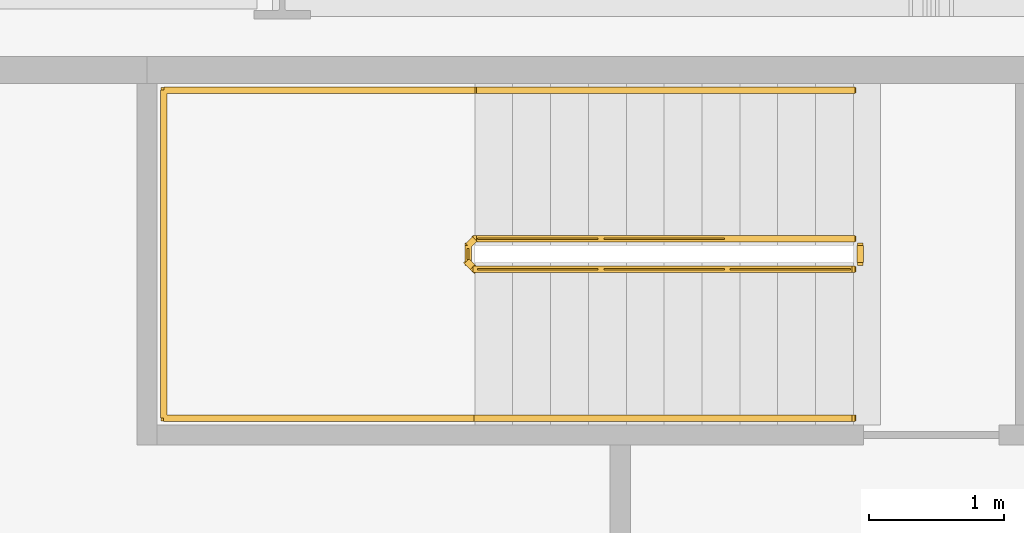
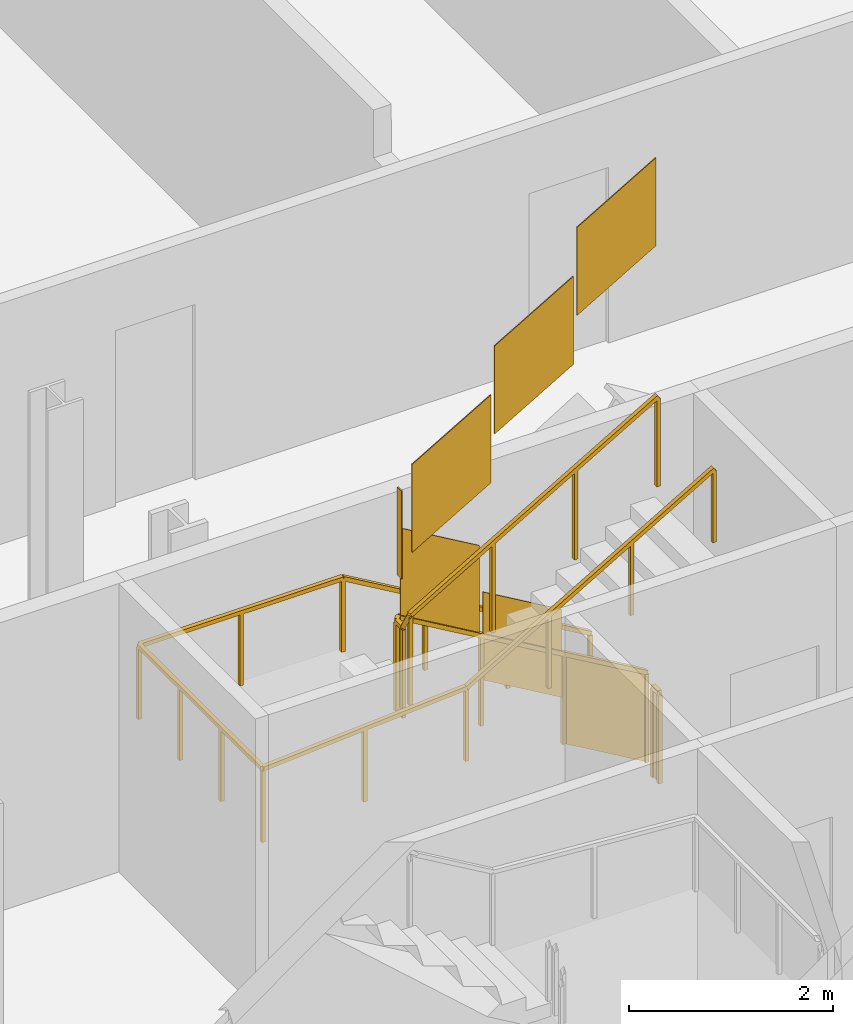
# One storey, part 18 of 19: 3 railings.
"""IFC4 building model written with IfcOpenShell, lengths in metres."""

from ifc_helpers import new_model, si_unit, direction, frame, origin, origin_2d, place, context, subcontext, project, spatial, polyline, rectangle, outline, extrude, material, type_object, element, save


model = new_model("IFC4")

# Units and contexts
model_context = context("Model", 3, precision=1e-05, world=origin(), true_north=direction((0.0, 1.0)))
body_context = subcontext(model_context, "Body", "Model", "MODEL_VIEW")
ifc_project = project(units=[si_unit("LENGTHUNIT", "METRE"), si_unit("AREAUNIT", "SQUARE_METRE"), si_unit("VOLUMEUNIT", "CUBIC_METRE"), si_unit("PLANEANGLEUNIT", "RADIAN"), si_unit("MASSUNIT", "GRAM", prefix="KILO")], contexts=[model_context])

# Site, building, storey
site_placement = place(None, origin())
site = spatial("IfcSite", under=ifc_project, at=site_placement, CompositionType="ELEMENT")
building_placement = place(site_placement, origin())
building = spatial("IfcBuilding", under=site, at=building_placement, Name="Cairn Pilgrim Tower", CompositionType="ELEMENT")
storey_placement = place(building_placement, frame((0.0, 0.0, 186.60009765625)))
storey = spatial("IfcBuildingStorey", under=building, at=storey_placement, Name="L47", CompositionType="ELEMENT", Elevation=186.60009765625)

# Railings
ifc_material = material(Name="Painted steel", Category="steel")
railing_type_1 = type_object("IfcRailingType", Name="STAIR GUARD 1100", PredefinedType="GUARDRAIL", material=ifc_material)
railing_1_placement = place(storey_placement, frame((11.425048828125, 8.949951171875, 0.16357421875)))
element("IfcRailing", 1, at=railing_1_placement, inside=storey, type_object=railing_type_1, Name="L47 ST-C stair guard 1", PredefinedType="GUARDRAIL", context=body_context, shape_type="SweptSolid", body=[
    extrude(rectangle(XDim=0.048095703125, YDim=0.048095703125, at=origin_2d()), frame((0.0, 0.0, 1.076171875), z_axis=(-0.863393664356, 0.0, 0.504530851732), x_axis=(0.0, -1.0, 0.0)), (0.0, 0.0, 1.0), 3.2431640625),
    extrude(rectangle(XDim=0.048095703125, YDim=0.048095703125, at=origin_2d()), frame((-2.800048828125, 0.0, 2.71240234375), z_axis=(-0.707106781187, -0.707106781187, 0.0), x_axis=(0.707106781187, -0.707106781187, 0.0)), (0.0, 0.0, 1.0), 0.07080078125),
    extrude(rectangle(XDim=0.048095703125, YDim=0.048095703125, at=origin_2d()), frame((-2.85009765625, -0.050048828125, 2.71240234375), z_axis=(0.0, -1.0, 0.0), x_axis=(1.0, 0.0, 0.0)), (0.0, 0.0, 1.0), 0.125),
    extrude(rectangle(XDim=0.048095703125, YDim=0.048095703125, at=origin_2d()), frame((-2.85009765625, -0.175048828125, 2.71240234375), z_axis=(0.280563532951, -0.279194930351, 0.91833234444), x_axis=(0.705375805398, 0.708833529934, 0.0)), (0.0, 0.0, 1.0), 0.178466796875),
    extrude(rectangle(XDim=0.048095703125, YDim=0.048095703125, at=origin_2d()), frame((-2.800048828125, -0.224853515625, 2.8759765625), z_axis=(0.863393664356, 0.0, 0.504530851732), x_axis=(0.0, 1.0, 0.0)), (0.0, 0.0, 1.0), 3.2431640625),
    extrude(rectangle(XDim=0.0419921875, YDim=0.0419921875, at=origin_2d()), origin(), (0.0, 0.0, 1.0), 1.052001953125),
    extrude(rectangle(XDim=0.0419921875, YDim=0.0419921875, at=origin_2d()), frame((-0.933349609375, 0.0, 0.54541015625)), (0.0, 0.0, 1.0), 1.052001953125),
    extrude(rectangle(XDim=0.0419921875, YDim=0.0419921875, at=origin_2d()), frame((-1.86669921875, 0.0, 1.0908203125)), (0.0, 0.0, 1.0), 1.052001953125),
    extrude(rectangle(XDim=0.0419921875, YDim=0.0419921875, at=origin_2d()), frame((-2.800048828125, 0.0, 1.63623046875)), (0.0, 0.0, 1.0), 1.052001953125),
    extrude(rectangle(XDim=0.0419921875, YDim=0.0419921875, at=origin_2d()), frame((-2.85009765625, -0.050048828125, 1.63623046875)), (0.0, 0.0, 1.0), 1.052001953125),
    extrude(rectangle(XDim=0.0419921875, YDim=0.0419921875, at=origin_2d()), frame((-2.85009765625, -0.175048828125, 1.63623046875)), (0.0, 0.0, 1.0), 1.052001953125),
    extrude(rectangle(XDim=0.0419921875, YDim=0.0419921875, at=origin_2d()), frame((-2.800048828125, -0.224853515625, 1.800048828125)), (0.0, 0.0, 1.0), 1.052001953125),
    extrude(rectangle(XDim=0.0419921875, YDim=0.0419921875, at=origin_2d()), frame((-1.86669921875, -0.224853515625, 2.345458984375)), (0.0, 0.0, 1.0), 1.052001953125),
    extrude(rectangle(XDim=0.0419921875, YDim=0.0419921875, at=origin_2d()), frame((-0.933349609375, -0.224853515625, 2.890869140625)), (0.0, 0.0, 1.0), 1.052001953125),
    extrude(rectangle(XDim=0.0419921875, YDim=0.0419921875, at=origin_2d()), frame((0.0, -0.224853515625, 3.436279296875)), (0.0, 0.0, 1.0), 1.052001953125),
    extrude(outline(polyline([(0.02099609375, 0.01220703125), (0.912353515625, 0.533203125), (0.912353515625, 1.585205078125), (0.02099609375, 1.064208984375), (0.02099609375, 0.01220703125)])), frame((0.0, -0.005859375, 0.0), z_axis=(0.0, 1.0, 0.0), x_axis=(-1.0, 0.0, 0.0)), (0.0, 0.0, 1.0), 0.011962890625),
    extrude(outline(polyline([(0.02099609375, 0.5576171875), (0.912353515625, 1.07861328125), (0.912353515625, 2.130615234375), (0.02099609375, 1.609619140625), (0.02099609375, 0.5576171875)])), frame((-0.933349609375, -0.005859375, 0.54541015625), z_axis=(0.0, 1.0, 0.0), x_axis=(-1.0, 0.0, 0.0)), (0.0, 0.0, 1.0), 0.011962890625),
    extrude(outline(polyline([(0.02099609375, 1.10302734375), (0.912353515625, 1.6240234375), (0.912353515625, 2.676025390625), (0.02099609375, 2.155029296875), (0.02099609375, 1.10302734375)])), frame((-1.86669921875, -0.005859375, 1.0908203125), z_axis=(0.0, 1.0, 0.0), x_axis=(-1.0, 0.0, 0.0)), (0.0, 0.0, 1.0), 0.011962890625),
    extrude(outline(polyline([(0.02099609375, 1.63623046875), (0.10400390625, 1.63623046875), (0.10400390625, 2.688232421875), (0.02099609375, 2.688232421875), (0.02099609375, 1.63623046875)])), frame((-2.84423828125, -0.050048828125, 1.63623046875), z_axis=(-1.0, 0.0, 0.0), x_axis=(0.0, -1.0, 0.0)), (0.0, 0.0, 1.0), 0.011962890625),
    extrude(outline(polyline([(0.02099609375, 1.812255859375), (0.912353515625, 2.333251953125), (0.912353515625, 3.38525390625), (0.02099609375, 2.8642578125), (0.02099609375, 1.812255859375)])), frame((-2.800048828125, -0.21875, 1.800048828125), z_axis=(0.0, -1.0, 0.0), x_axis=(1.0, 0.0, 0.0)), (0.0, 0.0, 1.0), 0.011962890625),
    extrude(outline(polyline([(0.02099609375, 2.357666015625), (0.912353515625, 2.878662109375), (0.912353515625, 3.9306640625), (0.02099609375, 3.40966796875), (0.02099609375, 2.357666015625)])), frame((-1.86669921875, -0.21875, 2.345458984375), z_axis=(0.0, -1.0, 0.0), x_axis=(1.0, 0.0, 0.0)), (0.0, 0.0, 1.0), 0.011962890625),
    extrude(outline(polyline([(0.02099609375, 2.903076171875), (0.912353515625, 3.424072265625), (0.912353515625, 4.47607421875), (0.02099609375, 3.955078125), (0.02099609375, 2.903076171875)])), frame((-0.933349609375, -0.21875, 2.890869140625), z_axis=(0.0, -1.0, 0.0), x_axis=(1.0, 0.0, 0.0)), (0.0, 0.0, 1.0), 0.011962890625),
])
railing_2_placement = place(storey_placement, frame((11.47509765625, 8.89990234375, 0.0)))
element("IfcRailing", 2, at=railing_2_placement, inside=storey, type_object=railing_type_1, Name="L47 ST-C stair guard 2", PredefinedType="GUARDRAIL", context=body_context, shape_type="SweptSolid", body=[
    extrude(rectangle(XDim=0.048095703125, YDim=0.048095703125, at=origin_2d()), frame((0.0, 0.0, 1.076171875), z_axis=(0.0, -1.0, 0.0), x_axis=(1.0, 0.0, 0.0)), (0.0, 0.0, 1.0), 0.125),
    extrude(rectangle(XDim=0.0419921875, YDim=0.0419921875, at=origin_2d()), origin(), (0.0, 0.0, 1.0), 1.052001953125),
    extrude(rectangle(XDim=0.0419921875, YDim=0.0419921875, at=origin_2d()), frame((0.0, -0.125, 0.0)), (0.0, 0.0, 1.0), 1.052001953125),
    extrude(outline(polyline([(0.02099609375, 0.0), (0.10400390625, 0.0), (0.10400390625, 1.052001953125), (0.02099609375, 1.052001953125), (0.02099609375, 0.0)])), frame((0.005859375, 0.0, 0.0), z_axis=(-1.0, 0.0, 0.0), x_axis=(0.0, -1.0, 0.0)), (0.0, 0.0, 1.0), 0.011962890625),
])
railing_type_2 = type_object("IfcRailingType", Name="STAIR HANDRAIL 900", PredefinedType="HANDRAIL", material=ifc_material)
railing_3_placement = place(storey_placement, frame((11.425048828125, 10.050048828125, 0.16357421875)))
element("IfcRailing", 3, at=railing_3_placement, inside=storey, type_object=railing_type_2, Name="L47 ST-C stair handrail 1", PredefinedType="HANDRAIL", context=body_context, shape_type="SweptSolid", body=[
    extrude(rectangle(XDim=0.048095703125, YDim=0.048095703125, at=origin_2d()), frame((0.0, 0.0, 0.8759765625), z_axis=(-0.863393664356, 0.0, 0.504530851732), x_axis=(0.0, -1.0, 0.0)), (0.0, 0.0, 1.0), 3.2431640625),
    extrude(rectangle(XDim=0.048095703125, YDim=0.048095703125, at=origin_2d()), frame((-2.800048828125, 0.0, 2.51220703125), z_axis=(-1.0, 0.0, 0.0), x_axis=(0.0, -1.0, 0.0)), (0.0, 0.0, 1.0), 2.300048828125),
    extrude(rectangle(XDim=0.048095703125, YDim=0.048095703125, at=origin_2d()), frame((-5.10009765625, 0.0, 2.51220703125), z_axis=(0.0, -1.0, 0.0), x_axis=(1.0, 0.0, 0.0)), (0.0, 0.0, 1.0), 2.425048828125),
    extrude(rectangle(XDim=0.048095703125, YDim=0.048095703125, at=origin_2d()), frame((-5.10009765625, -2.425048828125, 2.51220703125), z_axis=(0.99747319029, 0.0, 0.071043892441), x_axis=(0.0, 1.0, 0.0)), (0.0, 0.0, 1.0), 2.305908203125),
    extrude(rectangle(XDim=0.048095703125, YDim=0.048095703125, at=origin_2d()), frame((-2.800048828125, -2.425048828125, 2.67578125), z_axis=(0.863393664356, 0.0, 0.504530851732), x_axis=(0.0, 1.0, 0.0)), (0.0, 0.0, 1.0), 3.2431640625),
    extrude(rectangle(XDim=0.0419921875, YDim=0.0419921875, at=origin_2d()), origin(), (0.0, 0.0, 1.0), 0.851806640625),
    extrude(rectangle(XDim=0.0419921875, YDim=0.0419921875, at=origin_2d()), frame((-0.933349609375, 0.0, 0.54541015625)), (0.0, 0.0, 1.0), 0.851806640625),
    extrude(rectangle(XDim=0.0419921875, YDim=0.0419921875, at=origin_2d()), frame((-1.86669921875, 0.0, 1.0908203125)), (0.0, 0.0, 1.0), 0.851806640625),
    extrude(rectangle(XDim=0.0419921875, YDim=0.0419921875, at=origin_2d()), frame((-2.800048828125, 0.0, 1.63623046875)), (0.0, 0.0, 1.0), 0.851806640625),
    extrude(rectangle(XDim=0.0419921875, YDim=0.0419921875, at=origin_2d()), frame((-3.9501953125, 0.0, 1.63623046875)), (0.0, 0.0, 1.0), 0.851806640625),
    extrude(rectangle(XDim=0.0419921875, YDim=0.0419921875, at=origin_2d()), frame((-5.10009765625, 0.0, 1.63623046875)), (0.0, 0.0, 1.0), 0.851806640625),
    extrude(rectangle(XDim=0.0419921875, YDim=0.0419921875, at=origin_2d()), frame((-5.10009765625, -0.808349609375, 1.63623046875)), (0.0, 0.0, 1.0), 0.851806640625),
    extrude(rectangle(XDim=0.0419921875, YDim=0.0419921875, at=origin_2d()), frame((-5.10009765625, -1.61669921875, 1.63623046875)), (0.0, 0.0, 1.0), 0.851806640625),
    extrude(rectangle(XDim=0.0419921875, YDim=0.0419921875, at=origin_2d()), frame((-5.10009765625, -2.425048828125, 1.63623046875)), (0.0, 0.0, 1.0), 0.851806640625),
    extrude(rectangle(XDim=0.0419921875, YDim=0.0419921875, at=origin_2d()), frame((-3.9501953125, -2.425048828125, 1.71826171875)), (0.0, 0.0, 1.0), 0.851806640625),
    extrude(rectangle(XDim=0.0419921875, YDim=0.0419921875, at=origin_2d()), frame((-2.800048828125, -2.425048828125, 1.800048828125)), (0.0, 0.0, 1.0), 0.851806640625),
    extrude(rectangle(XDim=0.0419921875, YDim=0.0419921875, at=origin_2d()), frame((-1.86669921875, -2.425048828125, 2.345458984375)), (0.0, 0.0, 1.0), 0.851806640625),
    extrude(rectangle(XDim=0.0419921875, YDim=0.0419921875, at=origin_2d()), frame((-0.933349609375, -2.425048828125, 2.890869140625)), (0.0, 0.0, 1.0), 0.851806640625),
    extrude(rectangle(XDim=0.0419921875, YDim=0.0419921875, at=origin_2d()), frame((0.0, -2.425048828125, 3.436279296875)), (0.0, 0.0, 1.0), 0.851806640625),
])

save(model, "model.ifc")
